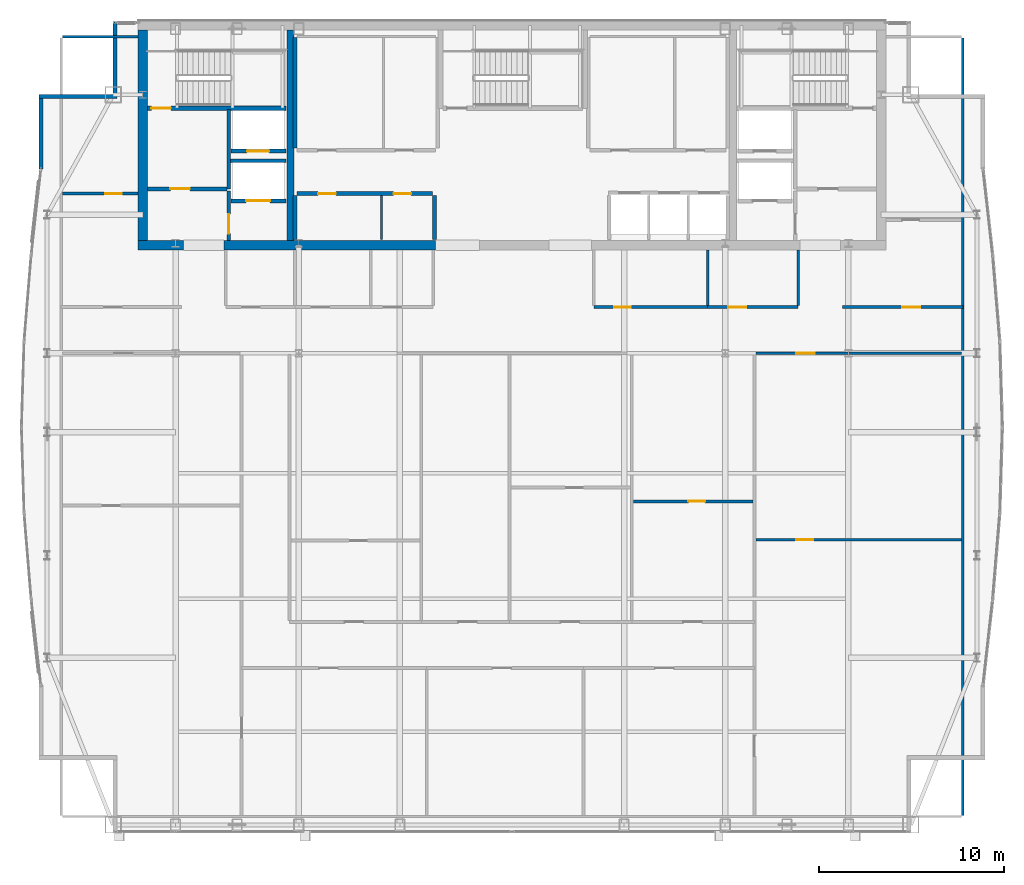
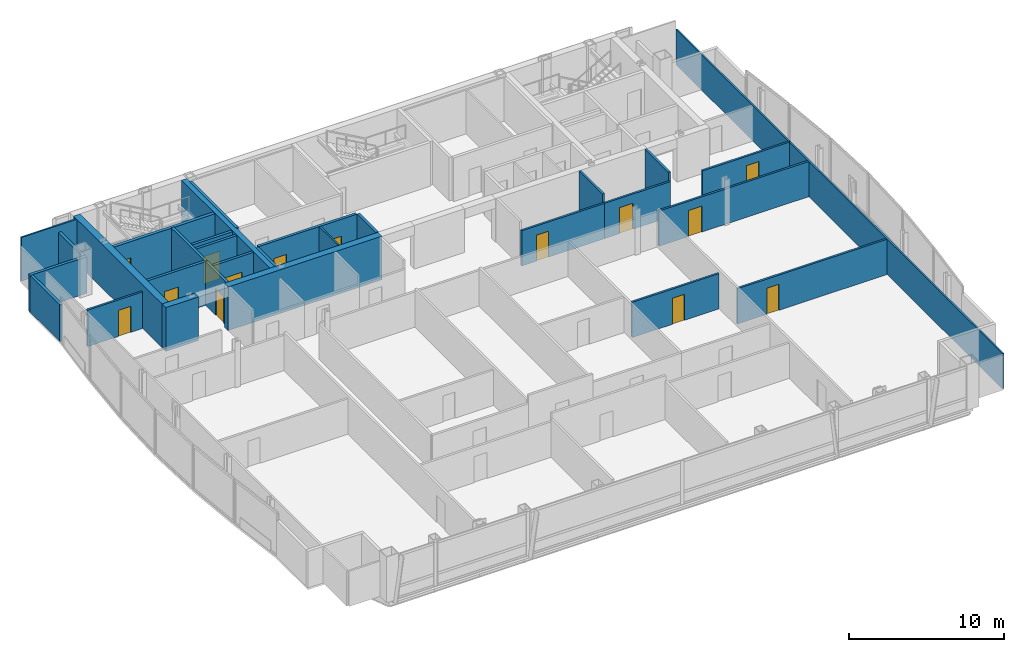
# One storey, part 21 of 25: 30 walls, 14 doors, 14 openings.
"""IFC4 building model written with IfcOpenShell, lengths in metres."""

from ifc_helpers import new_model, si_unit, direction, frame, frame_2d, origin, place, context, subcontext, project, spatial, rectangle, extrude, material, layer, layer_set, type_object, element, fill, save


model = new_model("IFC4")

# Units and contexts
model_context = context("Model", 3, precision=1e-05, world=origin(), true_north=direction((0.0, 1.0)))
body_context = subcontext(model_context, "Body", "Model", "MODEL_VIEW")
ifc_project = project(units=[si_unit("LENGTHUNIT", "METRE"), si_unit("AREAUNIT", "SQUARE_METRE"), si_unit("VOLUMEUNIT", "CUBIC_METRE"), si_unit("PLANEANGLEUNIT", "RADIAN"), si_unit("MASSUNIT", "GRAM", prefix="KILO")], contexts=[model_context])

# Site, building, storey
site_placement = place(None, origin())
site = spatial("IfcSite", under=ifc_project, at=site_placement, CompositionType="ELEMENT")
building_placement = place(site_placement, origin())
building = spatial("IfcBuilding", under=site, at=building_placement, Name="Khoronbel Lancet Exchange", CompositionType="ELEMENT")
storey_placement = place(building_placement, frame((0.0, 0.0, 298.60009765625)))
storey = spatial("IfcBuildingStorey", under=building, at=storey_placement, Name="L77", CompositionType="ELEMENT", Elevation=298.60009765625)

# Walls
ifc_material_1 = material(Name="Concrete C60/75", Category="concrete")
ifc_layer_1 = layer(ifc_material_1, 0.5, Name="Concrete C60/75")
ifc_layer_set_1 = layer_set([ifc_layer_1], Name="Concrete C60/75")
wall_type_1 = type_object("IfcWallType", Name="WL-CW4", PredefinedType="SHEAR", material=ifc_layer_set_1)
wall_1_placement = place(storey_placement, frame((16.449951171875, 41.800048828125, 0.0), z_axis=(0.0, 0.0, 1.0), x_axis=(0.0, 1.0, 0.0)))
element("IfcWall", 1, at=wall_1_placement, inside=storey, type_object=wall_type_1, Name="Level L77 rear core west shear wall", PredefinedType="SHEAR", context=body_context, shape_type="SweptSolid", body=[
    extrude(rectangle(XDim=11.39990234375, YDim=0.5, at=frame_2d((5.699951171875, 0.0))), origin(), (0.0, 0.0, 1.0), 3.43994140625),
])
wall_2_placement = place(storey_placement, frame((18.64990234375, 41.550048828125, 0.0), z_axis=(0.0, 0.0, 1.0), x_axis=(-1.0, 0.0, 0.0)))
element("IfcWall", 2, at=wall_2_placement, inside=storey, type_object=wall_type_1, Name="Level L77 rear core south shear wall pier P1", PredefinedType="SHEAR", context=body_context, shape_type="SweptSolid", body=[
    extrude(rectangle(XDim=2.449951171875, YDim=0.5, at=frame_2d((1.22509765625, 0.0))), origin(), (0.0, 0.0, 1.0), 3.43994140625),
])
wall_3_placement = place(storey_placement, frame((32.300048828125, 41.550048828125, 0.0), z_axis=(0.0, 0.0, 1.0), x_axis=(-1.0, 0.0, 0.0)))
element("IfcWall", 3, at=wall_3_placement, inside=storey, type_object=wall_type_1, Name="Level L77 rear core south shear wall pier P2", PredefinedType="SHEAR", context=body_context, shape_type="SweptSolid", body=[
    extrude(rectangle(XDim=11.449951171875, YDim=0.5, at=frame_2d((5.72509765625, 0.0))), origin(), (0.0, 0.0, 1.0), 3.43994140625),
])
ifc_material_2 = material(Name="Precast concrete C40/50", Category="concrete")
ifc_layer_2 = layer(ifc_material_2, 0.25, Name="Precast concrete C40/50")
ifc_layer_set_2 = layer_set([ifc_layer_2], Name="Precast concrete C40/50")
wall_type_2 = type_object("IfcWallType", Name="WL-EXT250", PredefinedType="SOLIDWALL", material=ifc_layer_set_2)
wall_4_placement = place(storey_placement, frame((10.93994140625, 45.675048828125, 0.0), z_axis=(0.0, 0.0, 1.0), x_axis=(0.0, 1.0, 0.0)))
element("IfcWall", 4, at=wall_4_placement, inside=storey, type_object=wall_type_2, Name="Level L77 notched-corner limestone pier 10", PredefinedType="SOLIDWALL", context=body_context, shape_type="SweptSolid", body=[
    extrude(rectangle(XDim=3.824951171875, YDim=0.219970703125, at=frame_2d((1.91259765625, 0.0))), origin(), (0.0, 0.0, 1.0), 2.8798828125),
])
wall_5_placement = place(storey_placement, frame((10.830078125, 49.610107421875, 0.0), z_axis=(0.0, 0.0, 1.0), x_axis=(1.0, 0.0, 0.0)))
element("IfcWall", 5, at=wall_5_placement, inside=storey, type_object=wall_type_2, Name="Level L77 notched-corner limestone pier 11", PredefinedType="SOLIDWALL", context=body_context, shape_type="SweptSolid", body=[
    extrude(rectangle(XDim=4.219970703125, YDim=0.219970703125, at=frame_2d((2.10986328125, 0.0))), origin(), (0.0, 0.0, 1.0), 2.8798828125),
])
wall_6_placement = place(storey_placement, frame((14.93994140625, 49.719970703125, 0.0), z_axis=(0.0, 0.0, 1.0), x_axis=(0.0, 1.0, 0.0)))
element("IfcWall", 6, at=wall_6_placement, inside=storey, type_object=wall_type_2, Name="Level L77 notched-corner limestone pier 12", PredefinedType="SOLIDWALL", context=body_context, shape_type="SweptSolid", body=[
    extrude(rectangle(XDim=3.909912109375, YDim=0.219970703125, at=frame_2d((1.955078125, 0.0))), origin(), (0.0, 0.0, 1.0), 2.8798828125),
])
ifc_material_3 = material(Name="Acoustic Metal-Stud & Mineral-Wool Gypsum Partition 120 mm", Category="gypsum")
ifc_layer_3 = layer(ifc_material_3, 0.1201171875, Name="Acoustic Metal-Stud & Mineral-Wool Gypsum Partition 120 mm")
ifc_layer_set_3 = layer_set([ifc_layer_3], Name="Acoustic Metal-Stud & Mineral-Wool Gypsum Partition 120 mm")
wall_type_3 = type_object("IfcWallType", Name="WL-PRT120", PredefinedType="PARTITIONING", material=ifc_layer_set_3)
for number, where, z_axis, x_axis, name in (
    (7, (47.050048828125, 38.280029296875, 0.0), (0.0, 0.0, 1.0), (0.0, 1.0, 0.0), "Level L77 interior partition PW-NP-M"),
    (8, (51.949951171875, 38.280029296875, 0.0), (0.0, 0.0, 1.0), (0.0, 1.0, 0.0), "Level L77 interior partition PW-NP-1"),
):
    element("IfcWall", number, at=place(storey_placement, frame(where, z_axis=z_axis, x_axis=x_axis)), inside=storey, type_object=wall_type_3, Name=name, PredefinedType="PARTITIONING", context=body_context, shape_type="SweptSolid", body=[
        extrude(rectangle(XDim=3.02001953125, YDim=0.14990234375, at=frame_2d((1.510009765625, 0.0))), origin(), (0.0, 0.0, 1.0), 3.43994140625),
    ])

# Wall, opening, door
wall_7_placement = place(storey_placement, frame((12.094970703125, 44.35009765625, 0.0), z_axis=(0.0, 0.0, 1.0), x_axis=(1.0, 0.0, 0.0)))
wall_7 = element("IfcWall", 9, at=wall_7_placement, inside=storey, type_object=wall_type_3, Name="Level L77 interior partition PW-NW-H", PredefinedType="PARTITIONING", context=body_context, shape_type="SweptSolid", body=[
    extrude(rectangle(XDim=4.10498046875, YDim=0.14990234375, at=frame_2d((2.052490234375, 0.0))), origin(), (0.0, 0.0, 1.0), 2.8798828125),
])
opening_1_placement = place(wall_7_placement, frame((2.320068359375, 0.0, 0.0)))
opening_1 = element("IfcOpeningElement", 10, at=opening_1_placement, cuts=wall_7, Name="Opening D5", PredefinedType="OPENING", context=body_context, shape_type="SweptSolid", body=[
    extrude(rectangle(XDim=0.89990234375, YDim=2.050048828125, at=frame_2d((0.449951171875, 1.02490234375))), frame((0.0, 0.0849609375, 0.0), z_axis=(0.0, -1.0, 0.0), x_axis=(1.0, 0.0, 0.0)), (0.0, 0.0, 1.0), 0.169921875),
])
ifc_material_4 = material(Name="Acoustic Timber Pantry & Support Door", Category="wood")
door_type_1 = type_object("IfcDoorType", Name="DR-D5", OperationType="NOTDEFINED", PredefinedType="DOOR", material=ifc_material_4)
door_1_placement = place(opening_1_placement, origin())
door_1 = element("IfcDoor", 11, at=door_1_placement, inside=storey, type_object=door_type_1, Name="NW north room door L77-1", OperationType="SINGLE_SWING_RIGHT", OverallHeight=2.050048828125, OverallWidth=0.89990234375, PredefinedType="DOOR", context=body_context, shape_type="SweptSolid", body=[
    extrude(rectangle(XDim=0.89990234375, YDim=2.050048828125, at=frame_2d((0.449951171875, 1.02490234375))), frame((0.0, 0.02490234375, 0.0), z_axis=(0.0, -1.0, 0.0), x_axis=(1.0, 0.0, 0.0)), (0.0, 0.0, 1.0), 0.050048828125),
])
fill(opening_1, door_1)

wall_8_placement = place(storey_placement, frame((49.659912109375, 25.60009765625, 0.0), z_axis=(0.0, 0.0, 1.0), x_axis=(1.0, 0.0, 0.0)))
wall_8 = element("IfcWall", 12, at=wall_8_placement, inside=storey, type_object=wall_type_3, Name="Level L77 interior partition PW-Z4-EH", PredefinedType="PARTITIONING", context=body_context, shape_type="SweptSolid", body=[
    extrude(rectangle(XDim=11.14501953125, YDim=0.14990234375, at=frame_2d((5.572509765625, 0.0))), origin(), (0.0, 0.0, 1.0), 2.77978515625),
])
opening_2_placement = place(wall_8_placement, frame((2.199951171875, 0.0, 0.0)))
opening_2 = element("IfcOpeningElement", 13, at=opening_2_placement, cuts=wall_8, Name="Opening D5", PredefinedType="OPENING", context=body_context, shape_type="SweptSolid", body=[
    extrude(rectangle(XDim=0.89990234375, YDim=2.050048828125, at=frame_2d((0.449951171875, 1.02490234375))), frame((0.0, 0.0849609375, 0.0), z_axis=(0.0, -1.0, 0.0), x_axis=(1.0, 0.0, 0.0)), (0.0, 0.0, 1.0), 0.169921875),
])
door_2_placement = place(opening_2_placement, origin())
door_2 = element("IfcDoor", 14, at=door_2_placement, inside=storey, type_object=door_type_1, Name="East lens inner door L77-1", OperationType="SINGLE_SWING_LEFT", OverallHeight=2.050048828125, OverallWidth=0.89990234375, PredefinedType="DOOR", context=body_context, shape_type="SweptSolid", body=[
    extrude(rectangle(XDim=0.89990234375, YDim=2.050048828125, at=frame_2d((0.449951171875, 1.02490234375))), frame((0.0, 0.02490234375, 0.0), z_axis=(0.0, -1.0, 0.0), x_axis=(1.0, 0.0, 0.0)), (0.0, 0.0, 1.0), 0.050048828125),
])
fill(opening_2, door_2)

wall_9_placement = place(storey_placement, frame((43.02099609375, 27.671630859375, 0.0), z_axis=(0.0, 0.0, 1.0), x_axis=(1.0, 0.0, 0.0)))
wall_9 = element("IfcWall", 15, at=wall_9_placement, inside=storey, type_object=wall_type_3, Name="Level L77 interior partition PW-Z4C-H4", PredefinedType="PARTITIONING", context=body_context, shape_type="SweptSolid", body=[
    extrude(rectangle(XDim=6.47900390625, YDim=0.14990234375, at=frame_2d((3.239501953125, 0.0))), origin(), (0.0, 0.0, 1.0), 2.77978515625),
])
opening_3_placement = place(wall_9_placement, frame((2.987548828125, 0.0, 0.0)))
opening_3 = element("IfcOpeningElement", 16, at=opening_3_placement, cuts=wall_9, Name="Opening D5", PredefinedType="OPENING", context=body_context, shape_type="SweptSolid", body=[
    extrude(rectangle(XDim=0.89990234375, YDim=2.050048828125, at=frame_2d((0.449951171875, 1.02490234375))), frame((0.0, 0.0849609375, 0.0), z_axis=(0.0, -1.0, 0.0), x_axis=(1.0, 0.0, 0.0)), (0.0, 0.0, 1.0), 0.169921875),
])
door_3_placement = place(opening_3_placement, origin())
door_3 = element("IfcDoor", 17, at=door_3_placement, inside=storey, type_object=door_type_1, Name="Z4C inner door 4 L77-1", OperationType="SINGLE_SWING_RIGHT", OverallHeight=2.050048828125, OverallWidth=0.89990234375, PredefinedType="DOOR", context=body_context, shape_type="SweptSolid", body=[
    extrude(rectangle(XDim=0.89990234375, YDim=2.050048828125, at=frame_2d((0.449951171875, 1.02490234375))), frame((0.0, 0.02490234375, 0.0), z_axis=(0.0, -1.0, 0.0), x_axis=(1.0, 0.0, 0.0)), (0.0, 0.0, 1.0), 0.050048828125),
])
fill(opening_3, door_3)

# Walls
wall_10_placement = place(storey_placement, frame((60.8701171875, 10.6650390625, 0.0), z_axis=(0.0, 0.0, 1.0), x_axis=(0.0, 1.0, 0.0)))
element("IfcWall", 18, at=wall_10_placement, inside=storey, type_object=wall_type_3, Name="Level L77 interior partition PW-LIN-E", PredefinedType="PARTITIONING", context=body_context, shape_type="SweptSolid", body=[
    extrude(rectangle(XDim=42.10986328125, YDim=0.1201171875, at=frame_2d((21.054931640625, 0.0))), origin(), (0.0, 0.0, 1.0), 2.77978515625),
])
wall_11_placement = place(storey_placement, frame((12.094970703125, 52.840087890625, 0.0), z_axis=(0.0, 0.0, 1.0), x_axis=(1.0, 0.0, 0.0)))
element("IfcWall", 19, at=wall_11_placement, inside=storey, type_object=wall_type_3, Name="Level L77 interior partition PW-LIN-NW", PredefinedType="PARTITIONING", context=body_context, shape_type="SweptSolid", body=[
    extrude(rectangle(XDim=4.10498046875, YDim=0.1201171875, at=frame_2d((2.052490234375, 0.0))), origin(), (0.0, 0.0, 1.0), 3.43994140625),
])
ifc_material_5 = material(Name="Fire-Rated Metal-Stud & Mineral-Wool Gypsum Partition 120 mm", Category="gypsum")
ifc_layer_4 = layer(ifc_material_5, 0.1201171875, Name="Fire-Rated Metal-Stud & Mineral-Wool Gypsum Partition 120 mm")
ifc_layer_set_4 = layer_set([ifc_layer_4], Name="Fire-Rated Metal-Stud & Mineral-Wool Gypsum Partition 120 mm")
wall_type_4 = type_object("IfcWallType", Name="WL-PRT120F", PredefinedType="PARTITIONING", material=ifc_layer_set_4)
wall_12_placement = place(storey_placement, frame((29.381103515625, 41.85009765625, 0.0), z_axis=(0.0, 0.0, 1.0), x_axis=(0.0, 1.0, 0.0)))
element("IfcWall", 20, at=wall_12_placement, inside=storey, type_object=wall_type_4, Name="Level L77 interior partition CW-PM-RS2", PredefinedType="PARTITIONING", context=body_context, shape_type="SweptSolid", body=[
    extrude(rectangle(XDim=2.39501953125, YDim=0.1201171875, at=frame_2d((1.197509765625, 0.0))), origin(), (0.0, 0.0, 1.0), 3.43994140625),
])

# Wall, opening, door
ifc_material_6 = material(Name="Fire-Rated Twin-Stud Acoustic Gypsum Partition 150 mm", Category="gypsum")
ifc_layer_5 = layer(ifc_material_6, 0.14990234375, Name="Fire-Rated Twin-Stud Acoustic Gypsum Partition 150 mm")
ifc_layer_set_5 = layer_set([ifc_layer_5], Name="Fire-Rated Twin-Stud Acoustic Gypsum Partition 150 mm")
wall_type_5 = type_object("IfcWallType", Name="WL-PRT150C", PredefinedType="PARTITIONING", material=ifc_layer_set_5)
wall_13_placement = place(storey_placement, frame((40.8798828125, 38.199951171875, 0.0), z_axis=(0.0, 0.0, 1.0), x_axis=(1.0, 0.0, 0.0)))
wall_13 = element("IfcWall", 21, at=wall_13_placement, inside=storey, type_object=wall_type_5, Name="Level L77 interior partition PW-NP-S1", PredefinedType="PARTITIONING", context=body_context, shape_type="SweptSolid", body=[
    extrude(rectangle(XDim=6.170166015625, YDim=0.14990234375, at=frame_2d((3.0849609375, 0.0))), origin(), (0.0, 0.0, 1.0), 2.77978515625),
])
opening_4_placement = place(wall_13_placement, frame((1.10009765625, 0.0, 0.0)))
opening_4 = element("IfcOpeningElement", 22, at=opening_4_placement, cuts=wall_13, Name="Opening D5", PredefinedType="OPENING", context=body_context, shape_type="SweptSolid", body=[
    extrude(rectangle(XDim=0.89990234375, YDim=2.050048828125, at=frame_2d((0.449951171875, 1.02490234375))), frame((0.0, 0.0849609375, 0.0), z_axis=(0.0, -1.0, 0.0), x_axis=(1.0, 0.0, 0.0)), (0.0, 0.0, 1.0), 0.169921875),
])
door_4_placement = place(opening_4_placement, origin())
door_4 = element("IfcDoor", 23, at=door_4_placement, inside=storey, type_object=door_type_1, Name="Floor refreshment pantry door L77-1", OperationType="SINGLE_SWING_RIGHT", OverallHeight=2.050048828125, OverallWidth=0.89990234375, PredefinedType="DOOR", context=body_context, shape_type="SweptSolid", body=[
    extrude(rectangle(XDim=0.89990234375, YDim=2.050048828125, at=frame_2d((0.449951171875, 1.02490234375))), frame((0.0, 0.02490234375, 0.0), z_axis=(0.0, -1.0, 0.0), x_axis=(1.0, 0.0, 0.0)), (0.0, 0.0, 1.0), 0.050048828125),
])
fill(opening_4, door_4)

wall_14_placement = place(storey_placement, frame((47.050048828125, 38.199951171875, 0.0), z_axis=(0.0, 0.0, 1.0), x_axis=(1.0, 0.0, 0.0)))
wall_14 = element("IfcWall", 24, at=wall_14_placement, inside=storey, type_object=wall_type_5, Name="Level L77 interior partition PW-NP-S2", PredefinedType="PARTITIONING", context=body_context, shape_type="SweptSolid", body=[
    extrude(rectangle(XDim=4.89990234375, YDim=0.14990234375, at=frame_2d((2.449951171875, 0.0))), origin(), (0.0, 0.0, 1.0), 2.77978515625),
])
opening_5_placement = place(wall_14_placement, frame((1.10009765625, 0.0, 0.0)))
opening_5 = element("IfcOpeningElement", 25, at=opening_5_placement, cuts=wall_14, Name="Opening D2", PredefinedType="OPENING", context=body_context, shape_type="SweptSolid", body=[
    extrude(rectangle(XDim=1.0, YDim=2.050048828125, at=frame_2d((0.5, 1.02490234375))), frame((0.0, 0.0849609375, 0.0), z_axis=(0.0, -1.0, 0.0), x_axis=(1.0, 0.0, 0.0)), (0.0, 0.0, 1.0), 0.169921875),
])
ifc_material_7 = material(Name="Acoustic Veneered Timber & Bronze Frame Door", Category="wood")
door_type_2 = type_object("IfcDoorType", Name="DR-D2", OperationType="NOTDEFINED", PredefinedType="DOOR", material=ifc_material_7)
door_5_placement = place(opening_5_placement, origin())
door_5 = element("IfcDoor", 26, at=door_5_placement, inside=storey, type_object=door_type_2, Name="Floor store door L77-1", OperationType="SINGLE_SWING_LEFT", OverallHeight=2.050048828125, OverallWidth=1.0, PredefinedType="DOOR", context=body_context, shape_type="SweptSolid", body=[
    extrude(rectangle(XDim=1.0, YDim=2.050048828125, at=frame_2d((0.5, 1.02490234375))), frame((0.0, 0.02490234375, 0.0), z_axis=(0.0, -1.0, 0.0), x_axis=(1.0, 0.0, 0.0)), (0.0, 0.0, 1.0), 0.050048828125),
])
fill(opening_5, door_5)

wall_15_placement = place(storey_placement, frame((54.35009765625, 38.199951171875, 0.0), z_axis=(0.0, 0.0, 1.0), x_axis=(1.0, 0.0, 0.0)))
wall_15 = element("IfcWall", 27, at=wall_15_placement, inside=storey, type_object=wall_type_5, Name="Level L77 interior partition PW-NE-S", PredefinedType="PARTITIONING", context=body_context, shape_type="SweptSolid", body=[
    extrude(rectangle(XDim=6.52001953125, YDim=0.14990234375, at=frame_2d((3.260009765625, 0.0))), origin(), (0.0, 0.0, 1.0), 2.77978515625),
])
opening_6_placement = place(wall_15_placement, frame((3.25, 0.0, 0.0)))
opening_6 = element("IfcOpeningElement", 28, at=opening_6_placement, cuts=wall_15, Name="Opening D1", PredefinedType="OPENING", context=body_context, shape_type="SweptSolid", body=[
    extrude(rectangle(XDim=0.949951171875, YDim=2.050048828125, at=frame_2d((0.47509765625, 1.02490234375))), frame((0.0, 0.0849609375, 0.0), z_axis=(0.0, -1.0, 0.0), x_axis=(1.0, 0.0, 0.0)), (0.0, 0.0, 1.0), 0.169921875),
])
door_type_3 = type_object("IfcDoorType", Name="DR-D1", OperationType="NOTDEFINED", PredefinedType="DOOR", material=ifc_material_7)
door_6_placement = place(opening_6_placement, origin())
door_6 = element("IfcDoor", 29, at=door_6_placement, inside=storey, type_object=door_type_3, Name="NE corner room door L77-1", OperationType="SINGLE_SWING_LEFT", OverallHeight=2.050048828125, OverallWidth=0.949951171875, PredefinedType="DOOR", context=body_context, shape_type="SweptSolid", body=[
    extrude(rectangle(XDim=0.949951171875, YDim=2.050048828125, at=frame_2d((0.47509765625, 1.02490234375))), frame((0.0, 0.02490234375, 0.0), z_axis=(0.0, -1.0, 0.0), x_axis=(1.0, 0.0, 0.0)), (0.0, 0.0, 1.0), 0.050048828125),
])
fill(opening_6, door_6)

wall_16_placement = place(storey_placement, frame((49.659912109375, 35.699951171875, 0.0), z_axis=(0.0, 0.0, 1.0), x_axis=(1.0, 0.0, 0.0)))
wall_16 = element("IfcWall", 30, at=wall_16_placement, inside=storey, type_object=wall_type_5, Name="Level L77 interior partition PW-Z4-EN2", PredefinedType="PARTITIONING", context=body_context, shape_type="SweptSolid", body=[
    extrude(rectangle(XDim=11.14501953125, YDim=0.14990234375, at=frame_2d((5.572509765625, 0.0))), origin(), (0.0, 0.0, 1.0), 2.77978515625),
])
opening_7_placement = place(wall_16_placement, frame((2.199951171875, 0.0, 0.0)))
opening_7 = element("IfcOpeningElement", 31, at=opening_7_placement, cuts=wall_16, Name="Opening D2", PredefinedType="OPENING", context=body_context, shape_type="SweptSolid", body=[
    extrude(rectangle(XDim=1.0, YDim=2.050048828125, at=frame_2d((0.5, 1.02490234375))), frame((0.0, 0.0849609375, 0.0), z_axis=(0.0, -1.0, 0.0), x_axis=(1.0, 0.0, 0.0)), (0.0, 0.0, 1.0), 0.169921875),
])
door_7_placement = place(opening_7_placement, origin())
door_7 = element("IfcDoor", 32, at=door_7_placement, inside=storey, type_object=door_type_2, Name="East lens north door L77-1", OperationType="SINGLE_SWING_RIGHT", OverallHeight=2.050048828125, OverallWidth=1.0, PredefinedType="DOOR", context=body_context, shape_type="SweptSolid", body=[
    extrude(rectangle(XDim=1.0, YDim=2.050048828125, at=frame_2d((0.5, 1.02490234375))), frame((0.0, 0.02490234375, 0.0), z_axis=(0.0, -1.0, 0.0), x_axis=(1.0, 0.0, 0.0)), (0.0, 0.0, 1.0), 0.050048828125),
])
fill(opening_7, door_7)

ifc_material_8 = material(Name="Autoclaved Aerated Concrete Blockwork 200 mm", Category="masonry")
ifc_layer_6 = layer(ifc_material_8, 0.199951171875, Name="Autoclaved Aerated Concrete Blockwork 200 mm")
ifc_layer_set_6 = layer_set([ifc_layer_6], Name="Autoclaved Aerated Concrete Blockwork 200 mm")
wall_type_6 = type_object("IfcWallType", Name="WL-PRT200", PredefinedType="PARTITIONING", material=ifc_layer_set_6)
wall_17_placement = place(storey_placement, frame((24.2099609375, 43.949951171875, 0.0), z_axis=(0.0, 0.0, 1.0), x_axis=(-1.0, 0.0, 0.0)))
wall_17 = element("IfcWall", 33, at=wall_17_placement, inside=storey, type_object=wall_type_6, Name="Level L77 elevator hoistway landing front wall SVLW", PredefinedType="PARTITIONING", context=body_context, shape_type="SweptSolid", body=[
    extrude(rectangle(XDim=2.969970703125, YDim=0.199951171875, at=frame_2d((1.48486328125, 0.0))), origin(), (0.0, 0.0, 1.0), 3.43994140625),
])
opening_8_placement = place(wall_17_placement, frame((0.860107421875, 0.0, 0.0)))
opening_8 = element("IfcOpeningElement", 34, at=opening_8_placement, cuts=wall_17, Name="Opening LD-SVL1", PredefinedType="OPENING", context=body_context, shape_type="SweptSolid", body=[
    extrude(rectangle(XDim=1.300048828125, YDim=2.179931640625, at=frame_2d((0.64990234375, 1.08984375))), frame((0.0, 0.10986328125, 0.0), z_axis=(0.0, -1.0, 0.0), x_axis=(1.0, 0.0, 0.0)), (0.0, 0.0, 1.0), 0.219970703125),
])
ifc_material_9 = material(Name="Heavy-Duty Bi-Parting Goods Lift Landing Door", Category="steel")
door_type_4 = type_object("IfcDoorType", Name="DR-LD-SVL", OperationType="NOTDEFINED", PredefinedType="DOOR", material=ifc_material_9)
door_8_placement = place(opening_8_placement, origin())
door_8 = element("IfcDoor", 35, at=door_8_placement, inside=storey, type_object=door_type_4, Name="Elevator landing sliding door LD-SVL1 L77", OperationType="SLIDING_TO_LEFT", OverallHeight=2.179931640625, OverallWidth=1.300048828125, PredefinedType="DOOR", context=body_context, shape_type="SweptSolid", body=[
    extrude(rectangle(XDim=1.300048828125, YDim=2.179931640625, at=frame_2d((0.64990234375, 1.08984375))), frame((0.0, 0.02490234375, 0.0), z_axis=(0.0, -1.0, 0.0), x_axis=(1.0, 0.0, 0.0)), (0.0, 0.0, 1.0), 0.050048828125),
])
fill(opening_8, door_8)

wall_18_placement = place(storey_placement, frame((24.2099609375, 46.64990234375, 0.0), z_axis=(0.0, 0.0, 1.0), x_axis=(-1.0, 0.0, 0.0)))
wall_18 = element("IfcWall", 36, at=wall_18_placement, inside=storey, type_object=wall_type_6, Name="Level L77 elevator hoistway landing front wall FFLW", PredefinedType="PARTITIONING", context=body_context, shape_type="SweptSolid", body=[
    extrude(rectangle(XDim=2.969970703125, YDim=0.199951171875, at=frame_2d((1.48486328125, 0.0))), origin(), (0.0, 0.0, 1.0), 3.43994140625),
])
opening_9_placement = place(wall_18_placement, frame((0.909912109375, 0.0, 0.0)))
opening_9 = element("IfcOpeningElement", 37, at=opening_9_placement, cuts=wall_18, Name="Opening LD-FFL1", PredefinedType="OPENING", context=body_context, shape_type="SweptSolid", body=[
    extrude(rectangle(XDim=1.199951171875, YDim=2.179931640625, at=frame_2d((0.60009765625, 1.08984375))), frame((0.0, 0.10986328125, 0.0), z_axis=(0.0, -1.0, 0.0), x_axis=(1.0, 0.0, 0.0)), (0.0, 0.0, 1.0), 0.219970703125),
])
ifc_material_10 = material(Name="Fire-Rated Stainless Bi-Parting Firefighting Lift Door", Category="steel")
door_type_5 = type_object("IfcDoorType", Name="DR-LD-FFL", OperationType="NOTDEFINED", PredefinedType="DOOR", material=ifc_material_10)
door_9_placement = place(opening_9_placement, origin())
door_9 = element("IfcDoor", 38, at=door_9_placement, inside=storey, type_object=door_type_5, Name="Elevator landing sliding door LD-FFL1 L77", OperationType="SLIDING_TO_LEFT", OverallHeight=2.179931640625, OverallWidth=1.199951171875, PredefinedType="DOOR", context=body_context, shape_type="SweptSolid", body=[
    extrude(rectangle(XDim=1.199951171875, YDim=2.179931640625, at=frame_2d((0.60009765625, 1.08984375))), frame((0.0, 0.02490234375, 0.0), z_axis=(0.0, -1.0, 0.0), x_axis=(1.0, 0.0, 0.0)), (0.0, 0.0, 1.0), 0.050048828125),
])
fill(opening_9, door_9)

# Wall
wall_19_placement = place(storey_placement, frame((21.10009765625, 44.60009765625, 0.0), z_axis=(0.0, 0.0, 1.0), x_axis=(0.0, 1.0, 0.0)))
element("IfcWall", 39, at=wall_19_placement, inside=storey, type_object=wall_type_6, Name="Level L77 interior partition CW-FFLW-E", PredefinedType="PARTITIONING", context=body_context, shape_type="SweptSolid", body=[
    extrude(rectangle(XDim=4.2998046875, YDim=0.199951171875, at=frame_2d((2.14990234375, 0.0))), origin(), (0.0, 0.0, 1.0), 3.43994140625),
])

# Wall, opening, door
wall_20_placement = place(storey_placement, frame((16.699951171875, 44.60009765625, 0.0), z_axis=(0.0, 0.0, 1.0), x_axis=(1.0, 0.0, 0.0)))
wall_20 = element("IfcWall", 40, at=wall_20_placement, inside=storey, type_object=wall_type_6, Name="Level L77 interior partition CW-FFLW-S", PredefinedType="PARTITIONING", context=body_context, shape_type="SweptSolid", body=[
    extrude(rectangle(XDim=4.300048828125, YDim=0.199951171875, at=frame_2d((2.14990234375, 0.0))), origin(), (0.0, 0.0, 1.0), 3.43994140625),
])
opening_10_placement = place(wall_20_placement, frame((1.25, 0.0, 0.0)))
opening_10 = element("IfcOpeningElement", 41, at=opening_10_placement, cuts=wall_20, Name="Opening FD1", PredefinedType="OPENING", context=body_context, shape_type="SweptSolid", body=[
    extrude(rectangle(XDim=1.050048828125, YDim=2.14990234375, at=frame_2d((0.52490234375, 1.074951171875))), frame((0.0, 0.10986328125, 0.0), z_axis=(0.0, -1.0, 0.0), x_axis=(1.0, 0.0, 0.0)), (0.0, 0.0, 1.0), 0.219970703125),
])
ifc_material_11 = material(Name="Fire-Rated Painted Steel Door Assembly", Category="steel")
door_type_6 = type_object("IfcDoorType", Name="DR-FD1", OperationType="NOTDEFINED", PredefinedType="DOOR", material=ifc_material_11)
door_10_placement = place(opening_10_placement, origin())
door_10 = element("IfcDoor", 42, at=door_10_placement, inside=storey, type_object=door_type_6, Name="West firefighting lobby FD90S door L77-1", OperationType="SINGLE_SWING_LEFT", OverallHeight=2.14990234375, OverallWidth=1.050048828125, PredefinedType="DOOR", context=body_context, shape_type="SweptSolid", body=[
    extrude(rectangle(XDim=1.050048828125, YDim=2.14990234375, at=frame_2d((0.52490234375, 1.074951171875))), frame((0.0, 0.02490234375, 0.0), z_axis=(0.0, -1.0, 0.0), x_axis=(1.0, 0.0, 0.0)), (0.0, 0.0, 1.0), 0.050048828125),
])
fill(opening_10, door_10)

# Wall
wall_21_placement = place(storey_placement, frame((21.199951171875, 46.1201171875, 0.0), z_axis=(0.0, 0.0, 1.0), x_axis=(1.0, 0.0, 0.0)))
element("IfcWall", 43, at=wall_21_placement, inside=storey, type_object=wall_type_6, Name="Level L77 interior partition CW-FFL1-S", PredefinedType="PARTITIONING", context=body_context, shape_type="SweptSolid", body=[
    extrude(rectangle(XDim=3.02001953125, YDim=0.199951171875, at=frame_2d((1.510009765625, 0.0))), origin(), (0.0, 0.0, 1.0), 3.43994140625),
])

# Wall, opening, door
wall_22_placement = place(storey_placement, frame((21.10009765625, 41.800048828125, 0.0), z_axis=(0.0, 0.0, 1.0), x_axis=(0.0, 1.0, 0.0)))
wall_22 = element("IfcWall", 44, at=wall_22_placement, inside=storey, type_object=wall_type_6, Name="Level L77 interior partition CW-SVLW-W", PredefinedType="PARTITIONING", context=body_context, shape_type="SweptSolid", body=[
    extrude(rectangle(XDim=2.695068359375, YDim=0.199951171875, at=frame_2d((1.34765625, 0.0))), origin(), (0.0, 0.0, 1.0), 3.43994140625),
])
opening_11_placement = place(wall_22_placement, frame((0.3798828125, 0.0, 0.0)))
opening_11 = element("IfcOpeningElement", 45, at=opening_11_placement, cuts=wall_22, Name="Opening FD1", PredefinedType="OPENING", context=body_context, shape_type="SweptSolid", body=[
    extrude(rectangle(XDim=1.050048828125, YDim=2.14990234375, at=frame_2d((0.52490234375, 1.074951171875))), frame((0.0, 0.10986328125, 0.0), z_axis=(0.0, -1.0, 0.0), x_axis=(1.0, 0.0, 0.0)), (0.0, 0.0, 1.0), 0.219970703125),
])
door_11_placement = place(opening_11_placement, origin())
door_11 = element("IfcDoor", 46, at=door_11_placement, inside=storey, type_object=door_type_6, Name="West service lift lobby door L77-1", OperationType="SINGLE_SWING_RIGHT", OverallHeight=2.14990234375, OverallWidth=1.050048828125, PredefinedType="DOOR", context=body_context, shape_type="SweptSolid", body=[
    extrude(rectangle(XDim=1.050048828125, YDim=2.14990234375, at=frame_2d((0.52490234375, 1.074951171875))), frame((0.0, 0.02490234375, 0.0), z_axis=(0.0, -1.0, 0.0), x_axis=(1.0, 0.0, 0.0)), (0.0, 0.0, 1.0), 0.050048828125),
])
fill(opening_11, door_11)

# Walls
wall_23_placement = place(storey_placement, frame((24.699951171875, 46.804931640625, 0.0), z_axis=(0.0, 0.0, 1.0), x_axis=(0.0, 1.0, 0.0)))
element("IfcWall", 47, at=wall_23_placement, inside=storey, type_object=wall_type_6, Name="Level L77 interior partition CW-PL-RW", PredefinedType="PARTITIONING", context=body_context, shape_type="SweptSolid", body=[
    extrude(rectangle(XDim=5.989990234375, YDim=0.199951171875, at=frame_2d((2.9951171875, 0.0))), origin(), (0.0, 0.0, 1.0), 3.43994140625),
])
for number, where, z_axis, x_axis, name in (
    (48, (24.699951171875, 41.85009765625, 0.0), (0.0, 0.0, 1.0), (0.0, 1.0, 0.0), "Level L77 interior partition CW-PM-RW"),
    (49, (32.25, 41.85009765625, 0.0), (0.0, 0.0, 1.0), (0.0, 1.0, 0.0), "Level L77 interior partition CW-PM-RE"),
):
    element("IfcWall", number, at=place(storey_placement, frame(where, z_axis=z_axis, x_axis=x_axis)), inside=storey, type_object=wall_type_6, Name=name, PredefinedType="PARTITIONING", context=body_context, shape_type="SweptSolid", body=[
        extrude(rectangle(XDim=2.39501953125, YDim=0.199951171875, at=frame_2d((1.197509765625, 0.0))), origin(), (0.0, 0.0, 1.0), 3.43994140625),
    ])

# Wall, openings, doors
wall_24_placement = place(storey_placement, frame((24.804931640625, 44.35009765625, 0.0), z_axis=(0.0, 0.0, 1.0), x_axis=(1.0, 0.0, 0.0)))
wall_24 = element("IfcWall", 50, at=wall_24_placement, inside=storey, type_object=wall_type_6, Name="Level L77 interior partition CW-PM-RF", PredefinedType="PARTITIONING", context=body_context, shape_type="SweptSolid", body=[
    extrude(rectangle(XDim=7.340087890625, YDim=0.199951171875, at=frame_2d((3.669921875, 0.0))), origin(), (0.0, 0.0, 1.0), 3.43994140625),
])
opening_12_placement = place(wall_24_placement, frame((1.14990234375, 0.0, 0.0)))
opening_12 = element("IfcOpeningElement", 51, at=opening_12_placement, cuts=wall_24, Name="Opening FD3", PredefinedType="OPENING", context=body_context, shape_type="SweptSolid", body=[
    extrude(rectangle(XDim=0.949951171875, YDim=2.10009765625, at=frame_2d((0.47509765625, 1.050048828125))), frame((0.0, 0.10986328125, 0.0), z_axis=(0.0, -1.0, 0.0), x_axis=(1.0, 0.0, 0.0)), (0.0, 0.0, 1.0), 0.219970703125),
])
opening_13_placement = place(wall_24_placement, frame((5.23095703125, 0.0, 0.0)))
opening_13 = element("IfcOpeningElement", 52, at=opening_13_placement, cuts=wall_24, Name="Opening FD3", PredefinedType="OPENING", context=body_context, shape_type="SweptSolid", body=[
    extrude(rectangle(XDim=0.949951171875, YDim=2.10009765625, at=frame_2d((0.47509765625, 1.050048828125))), frame((0.0, 0.10986328125, 0.0), z_axis=(0.0, -1.0, 0.0), x_axis=(1.0, 0.0, 0.0)), (0.0, 0.0, 1.0), 0.219970703125),
])
ifc_material_12 = material(Name="Fire-Rated Steel Plant & Riser Door Assembly", Category="steel")
door_type_7 = type_object("IfcDoorType", Name="DR-FD3", OperationType="NOTDEFINED", PredefinedType="DOOR", material=ifc_material_12)
door_12_placement = place(opening_12_placement, origin())
door_12 = element("IfcDoor", 53, at=door_12_placement, inside=storey, type_object=door_type_7, Name="Reclaimed PM C door L77-1", OperationType="SINGLE_SWING_LEFT", OverallHeight=2.10009765625, OverallWidth=0.949951171875, PredefinedType="DOOR", context=body_context, shape_type="SweptSolid", body=[
    extrude(rectangle(XDim=0.949951171875, YDim=2.10009765625, at=frame_2d((0.47509765625, 1.050048828125))), frame((0.0, 0.02490234375, 0.0), z_axis=(0.0, -1.0, 0.0), x_axis=(1.0, 0.0, 0.0)), (0.0, 0.0, 1.0), 0.050048828125),
])
fill(opening_12, door_12)
door_13_placement = place(opening_13_placement, origin())
door_13 = element("IfcDoor", 54, at=door_13_placement, inside=storey, type_object=door_type_7, Name="Reclaimed PM D door L77-2", OperationType="SINGLE_SWING_RIGHT", OverallHeight=2.10009765625, OverallWidth=0.949951171875, PredefinedType="DOOR", context=body_context, shape_type="SweptSolid", body=[
    extrude(rectangle(XDim=0.949951171875, YDim=2.10009765625, at=frame_2d((0.47509765625, 1.050048828125))), frame((0.0, 0.02490234375, 0.0), z_axis=(0.0, -1.0, 0.0), x_axis=(1.0, 0.0, 0.0)), (0.0, 0.0, 1.0), 0.050048828125),
])
fill(opening_13, door_13)

# Wall
ifc_layer_7 = layer(ifc_material_1, 0.39990234375, Name="Concrete C60/75")
ifc_layer_set_7 = layer_set([ifc_layer_7], Name="Concrete C60/75")
wall_type_7 = type_object("IfcWallType", Name="WL-SW2", PredefinedType="SHEAR", material=ifc_layer_set_7)
wall_25_placement = place(storey_placement, frame((24.449951171875, 41.800048828125, 0.0), z_axis=(0.0, 0.0, 1.0), x_axis=(0.0, 1.0, 0.0)))
element("IfcWall", 55, at=wall_25_placement, inside=storey, type_object=wall_type_7, Name="Level L77 rear core internal spine shear wall IW", PredefinedType="SHEAR", context=body_context, shape_type="SweptSolid", body=[
    extrude(rectangle(XDim=11.39990234375, YDim=0.39990234375, at=frame_2d((5.699951171875, 0.0))), origin(), (0.0, 0.0, 1.0), 3.43994140625),
])

# Wall, opening, door
ifc_layer_8 = layer(ifc_material_1, 0.260009765625, Name="Concrete C60/75")
ifc_layer_set_8 = layer_set([ifc_layer_8], Name="Concrete C60/75")
wall_type_8 = type_object("IfcWallType", Name="WL-SW3", PredefinedType="SHEAR", material=ifc_layer_set_8)
wall_26_placement = place(storey_placement, frame((16.699951171875, 48.97998046875, 0.0), z_axis=(0.0, 0.0, 1.0), x_axis=(1.0, 0.0, 0.0)))
wall_26 = element("IfcWall", 56, at=wall_26_placement, inside=storey, type_object=wall_type_8, Name="Level L77 west stairwell structural south wall", PredefinedType="SHEAR", context=body_context, shape_type="SweptSolid", body=[
    extrude(rectangle(XDim=7.52001953125, YDim=0.239990234375, at=frame_2d((3.760009765625, 0.0))), origin(), (0.0, 0.0, 1.0), 3.43994140625),
])
opening_14_placement = place(wall_26_placement, frame((0.219970703125, 0.0, 0.0)))
opening_14 = element("IfcOpeningElement", 57, at=opening_14_placement, cuts=wall_26, Name="Opening SD1", PredefinedType="OPENING", context=body_context, shape_type="SweptSolid", body=[
    extrude(rectangle(XDim=1.050048828125, YDim=2.14990234375, at=frame_2d((0.52490234375, 1.074951171875))), frame((0.0, 0.1298828125, 0.0), z_axis=(0.0, -1.0, 0.0), x_axis=(1.0, 0.0, 0.0)), (0.0, 0.0, 1.0), 0.260009765625),
])
ifc_material_13 = material(Name="Fire-Rated Steel Stairwell Door Assembly", Category="steel")
door_type_8 = type_object("IfcDoorType", Name="DR-SD1", OperationType="NOTDEFINED", PredefinedType="DOOR", material=ifc_material_13)
door_14_placement = place(opening_14_placement, origin())
door_14 = element("IfcDoor", 58, at=door_14_placement, inside=storey, type_object=door_type_8, Name="Protected exit stair ST1 door L77", OperationType="SINGLE_SWING_LEFT", OverallHeight=2.14990234375, OverallWidth=1.050048828125, PredefinedType="DOOR", context=body_context, shape_type="SweptSolid", body=[
    extrude(rectangle(XDim=1.050048828125, YDim=2.14990234375, at=frame_2d((0.52490234375, 1.074951171875))), frame((0.0, 0.02490234375, 0.0), z_axis=(0.0, -1.0, 0.0), x_axis=(1.0, 0.0, 0.0)), (0.0, 0.0, 1.0), 0.050048828125),
])
fill(opening_14, door_14)

save(model, "model.ifc")
